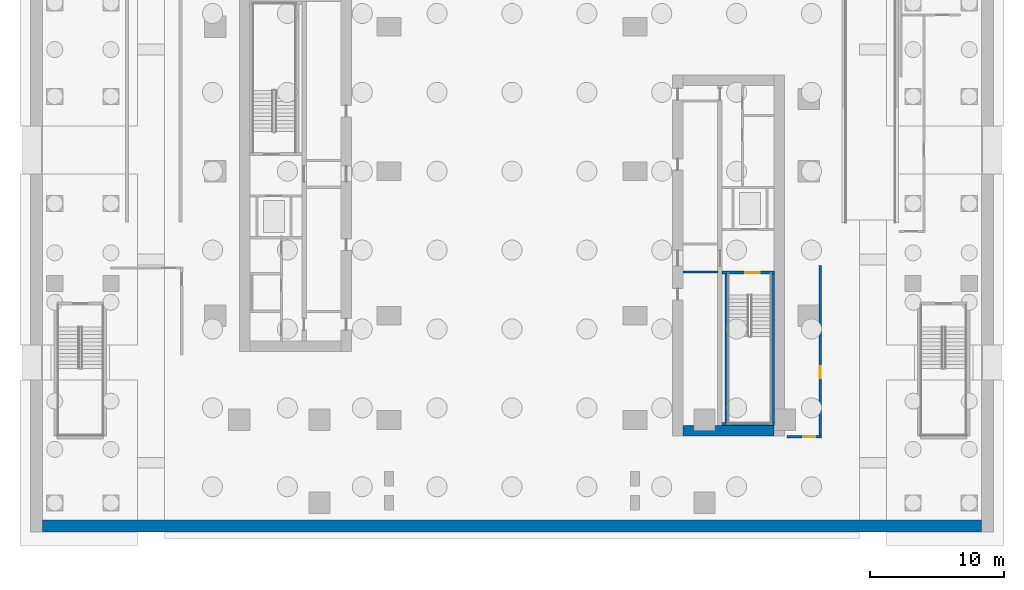
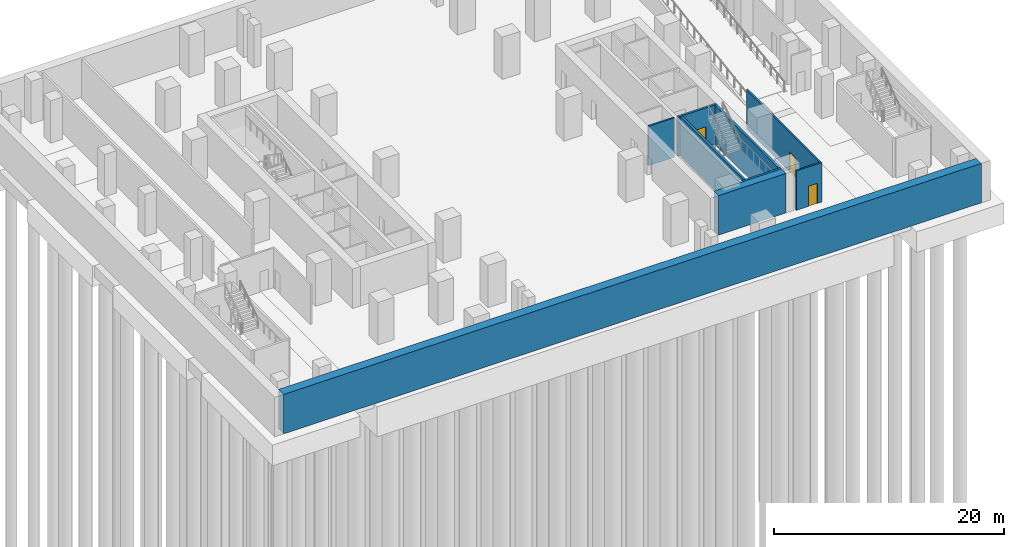
# One storey, part 4 of 15: 9 walls, 3 doors, 3 openings.
"""IFC4 building model written with IfcOpenShell, lengths in metres."""

from ifc_helpers import new_model, si_unit, direction, frame, frame_2d, origin, place, context, subcontext, project, spatial, rectangle, extrude, material, layer, layer_set, type_object, element, fill, save


model = new_model("IFC4")

# Units and contexts
model_context = context("Model", 3, precision=1e-05, world=origin(), true_north=direction((0.0, 1.0)))
body_context = subcontext(model_context, "Body", "Model", "MODEL_VIEW")
ifc_project = project(units=[si_unit("LENGTHUNIT", "METRE"), si_unit("AREAUNIT", "SQUARE_METRE"), si_unit("VOLUMEUNIT", "CUBIC_METRE"), si_unit("PLANEANGLEUNIT", "RADIAN"), si_unit("MASSUNIT", "GRAM", prefix="KILO")], contexts=[model_context])

# Site, building, storey
site_placement = place(None, origin())
site = spatial("IfcSite", under=ifc_project, at=site_placement, CompositionType="ELEMENT")
building_placement = place(site_placement, origin())
building = spatial("IfcBuilding", under=site, at=building_placement, Name="Khairoan Windgate Tower", CompositionType="ELEMENT")
storey_placement = place(building_placement, frame((0.0, 0.0, -9.0)))
storey = spatial("IfcBuildingStorey", under=building, at=storey_placement, Name="B2", CompositionType="ELEMENT", Elevation=-9.0)

# Wall
ifc_material_1 = material(Name="Concrete C40/50", Category="concrete")
ifc_layer_1 = layer(ifc_material_1, 0.159912109375, Name="Concrete C40/50")
ifc_layer_set_1 = layer_set([ifc_layer_1], Name="Concrete C40/50")
wall_type_1 = type_object("IfcWallType", Name="Core and Hoistway Enclosure Wall", PredefinedType="STANDARD", material=ifc_layer_set_1)
wall_1_placement = place(storey_placement, frame((12.800048828125, -7.5400390625, 0.0), z_axis=(0.0, 0.0, 1.0), x_axis=(1.0, 0.0, 0.0)))
element("IfcWall", 1, at=wall_1_placement, inside=storey, type_object=wall_type_1, Name="B2 Core Shaft Wall SW-EV2-B2", PredefinedType="STANDARD", context=body_context, shape_type="SweptSolid", body=[
    extrude(rectangle(XDim=2.599853515625, YDim=0.159912109375, at=frame_2d((1.2998046875, 0.0))), origin(), (0.0, 0.0, 1.0), 4.199951171875),
])

# Wall, opening, door
ifc_material_2 = material(Name="Concrete C40/50", Category="concrete")
ifc_layer_2 = layer(ifc_material_2, 0.159912109375, Name="Concrete C40/50")
ifc_layer_set_2 = layer_set([ifc_layer_2], Name="Concrete C40/50")
wall_type_2 = type_object("IfcWallType", Name="Plant and Refuge Compartment Wall", PredefinedType="PARTITIONING", material=ifc_layer_set_2)
wall_2_placement = place(storey_placement, frame((20.56005859375, -19.860107421875, 0.0), z_axis=(0.0, 0.0, 1.0), x_axis=(1.0, 0.0, 0.0)))
wall_2 = element("IfcWall", 2, at=wall_2_placement, inside=storey, type_object=wall_type_2, Name="B2 Interior Partition 011", PredefinedType="PARTITIONING", context=body_context, shape_type="SweptSolid", body=[
    extrude(rectangle(XDim=2.579833984375, YDim=0.159912109375, at=frame_2d((1.2900390625, 0.0))), origin(), (0.0, 0.0, 1.0), 4.199951171875),
])
opening_1_placement = place(wall_2_placement, frame((1.219970703125, 0.0, 0.0)))
opening_1 = element("IfcOpeningElement", 3, at=opening_1_placement, cuts=wall_2, Name="Opening FD-ENT", PredefinedType="OPENING", context=body_context, shape_type="SweptSolid", body=[
    extrude(rectangle(XDim=0.89990234375, YDim=2.14990234375, at=frame_2d((0.449951171875, 1.074951171875))), frame((0.0, 0.08984375, 0.0), z_axis=(0.0, -1.0, 0.0), x_axis=(1.0, 0.0, 0.0)), (0.0, 0.0, 1.0), 0.179931640625),
])
ifc_material_3 = material(Name="Timber Fire-Rated Core", Category="wood")
door_type_1 = type_object("IfcDoorType", Name="Unit and Office Fire Entrance Door FD-ENT 900x2150", OperationType="NOTDEFINED", PredefinedType="DOOR", material=ifc_material_3)
door_1_placement = place(opening_1_placement, origin())
door_1 = element("IfcDoor", 4, at=door_1_placement, inside=storey, type_object=door_type_1, Name="B2 B2-31-B2-48 Door", OperationType="SINGLE_SWING_RIGHT", OverallHeight=2.14990234375, OverallWidth=0.89990234375, PredefinedType="DOOR", context=body_context, shape_type="SweptSolid", body=[
    extrude(rectangle(XDim=0.89990234375, YDim=2.14990234375, at=frame_2d((0.449951171875, 1.074951171875))), frame((0.0, 0.02490234375, 0.0), z_axis=(0.0, -1.0, 0.0), x_axis=(1.0, 0.0, 0.0)), (0.0, 0.0, 1.0), 0.050048828125),
])
fill(opening_1, door_1)

wall_3_placement = place(storey_placement, frame((23.06005859375, -19.780029296875, 0.0), z_axis=(0.0, 0.0, 1.0), x_axis=(0.0, 1.0, 0.0)))
wall_3 = element("IfcWall", 5, at=wall_3_placement, inside=storey, type_object=wall_type_2, Name="B2 Interior Partition 013", PredefinedType="PARTITIONING", context=body_context, shape_type="SweptSolid", body=[
    extrude(rectangle(XDim=12.739990234375, YDim=0.159912109375, at=frame_2d((6.3701171875, 0.0))), origin(), (0.0, 0.0, 1.0), 4.199951171875),
])
opening_2_placement = place(wall_3_placement, frame((4.30224609375, 0.0, 0.0)))
opening_2 = element("IfcOpeningElement", 6, at=opening_2_placement, cuts=wall_3, Name="Opening FD-ENT", PredefinedType="OPENING", context=body_context, shape_type="SweptSolid", body=[
    extrude(rectangle(XDim=0.89990234375, YDim=2.14990234375, at=frame_2d((0.449951171875, 1.074951171875))), frame((0.0, 0.08984375, 0.0), z_axis=(0.0, -1.0, 0.0), x_axis=(1.0, 0.0, 0.0)), (0.0, 0.0, 1.0), 0.179931640625),
])
door_2_placement = place(opening_2_placement, origin())
door_2 = element("IfcDoor", 7, at=door_2_placement, inside=storey, type_object=door_type_1, Name="B2 B2-35-B2-48 Door", OperationType="SINGLE_SWING_RIGHT", OverallHeight=2.14990234375, OverallWidth=0.89990234375, PredefinedType="DOOR", context=body_context, shape_type="SweptSolid", body=[
    extrude(rectangle(XDim=0.89990234375, YDim=2.14990234375, at=frame_2d((0.449951171875, 1.074951171875))), frame((0.0, 0.02490234375, 0.0), z_axis=(0.0, -1.0, 0.0), x_axis=(1.0, 0.0, 0.0)), (0.0, 0.0, 1.0), 0.050048828125),
])
fill(opening_2, door_2)

# Walls
ifc_material_4 = material(Name="Concrete C70/85", Category="concrete")
ifc_layer_3 = layer(ifc_material_4, 0.800048828125, Name="Concrete C70/85")
ifc_layer_set_3 = layer_set([ifc_layer_3], Name="Concrete C70/85")
wall_type_3 = type_object("IfcWallType", Name="Shear Wall CW-E1 800mm", PredefinedType="SHEAR", material=ifc_layer_set_3)
wall_4_placement = place(storey_placement, frame((12.800048828125, -19.39990234375, 0.0), z_axis=(0.0, 0.0, 1.0), x_axis=(1.0, 0.0, 0.0)))
element("IfcWall", 8, at=wall_4_placement, inside=storey, type_object=wall_type_3, Name="E Core South Shear Wall B2", PredefinedType="SHEAR", context=body_context, shape_type="SweptSolid", body=[
    extrude(rectangle(XDim=6.800048828125, YDim=0.800048828125, at=frame_2d((3.39990234375, 0.0))), origin(), (0.0, 0.0, 1.0), 4.199951171875),
])
ifc_material_5 = material(Name="Concrete C50/60", Category="concrete")
ifc_layer_4 = layer(ifc_material_5, 0.89990234375, Name="Concrete C50/60")
ifc_layer_set_4 = layer_set([ifc_layer_4], Name="Concrete C50/60")
wall_type_4 = type_object("IfcWallType", Name="Shear Wall DW-B1 900mm", PredefinedType="SHEAR", material=ifc_layer_set_4)
wall_5_placement = place(storey_placement, frame((-35.10009765625, -26.550048828125, 0.0), z_axis=(0.0, 0.0, 1.0), x_axis=(1.0, 0.0, 0.0)))
element("IfcWall", 9, at=wall_5_placement, inside=storey, type_object=wall_type_4, Name="South Diaphragm Wall B2", PredefinedType="SHEAR", context=body_context, shape_type="SweptSolid", body=[
    extrude(rectangle(XDim=70.2001953125, YDim=0.89990234375, at=frame_2d((35.10009765625, 0.0))), origin(), (0.0, 0.0, 1.0), 4.199951171875),
])
ifc_material_6 = material(Name="Concrete C50/60", Category="concrete")
ifc_layer_5 = layer(ifc_material_6, 0.219970703125, Name="Concrete C50/60")
ifc_layer_set_5 = layer_set([ifc_layer_5], Name="Concrete C50/60")
wall_type_5 = type_object("IfcWallType", Name="Shear Wall SW-ST 220mm", PredefinedType="SHEAR", material=ifc_layer_set_5)
for number, where, z_axis, x_axis, name in (
    (10, (16.0400390625, -18.889892578125, 0.0), (0.0, 0.0, 1.0), (0.0, 1.0, 0.0), "B2 Stair ST1 West Bearing Wall"),
    (11, (19.530029296875, -18.889892578125, 0.0), (0.0, 0.0, 1.0), (0.0, 1.0, 0.0), "B2 Stair ST1 East Bearing Wall"),
):
    element("IfcWall", number, at=place(storey_placement, frame(where, z_axis=z_axis, x_axis=x_axis)), inside=storey, type_object=wall_type_5, Name=name, PredefinedType="SHEAR", context=body_context, shape_type="SweptSolid", body=[
        extrude(rectangle(XDim=11.2998046875, YDim=0.219970703125, at=frame_2d((5.64990234375, 0.0))), origin(), (0.0, 0.0, 1.0), 4.199951171875),
    ])
wall_6_placement = place(storey_placement, frame((15.705078125, -18.889892578125, 0.0), z_axis=(0.0, 0.0, 1.0), x_axis=(1.0, 0.0, 0.0)))
element("IfcWall", 12, at=wall_6_placement, inside=storey, type_object=wall_type_5, Name="B2 Stair ST1 South Bearing Wall", PredefinedType="SHEAR", context=body_context, shape_type="SweptSolid", body=[
    extrude(rectangle(XDim=3.9150390625, YDim=0.219970703125, at=frame_2d((1.95751953125, 0.0))), origin(), (0.0, 0.0, 1.0), 4.199951171875),
])

# Wall, opening, door
wall_7_placement = place(storey_placement, frame((19.6201171875, -7.590087890625, 0.0), z_axis=(0.0, 0.0, 1.0), x_axis=(-1.0, 0.0, 0.0)))
wall_7 = element("IfcWall", 13, at=wall_7_placement, inside=storey, type_object=wall_type_5, Name="B2 Stair ST1 North Bearing Wall", PredefinedType="SHEAR", context=body_context, shape_type="SweptSolid", body=[
    extrude(rectangle(XDim=3.9150390625, YDim=0.219970703125, at=frame_2d((1.95751953125, 0.0))), origin(), (0.0, 0.0, 1.0), 4.199951171875),
])
opening_3_placement = place(wall_7_placement, frame((1.080078125, 0.0, 0.0)))
opening_3 = element("IfcOpeningElement", 14, at=opening_3_placement, cuts=wall_7, Name="Opening FD-ST", PredefinedType="OPENING", context=body_context, shape_type="SweptSolid", body=[
    extrude(rectangle(XDim=1.10009765625, YDim=2.199951171875, at=frame_2d((0.550048828125, 1.10009765625))), frame((0.0, 0.119873046875, 0.0), z_axis=(0.0, -1.0, 0.0), x_axis=(1.0, 0.0, 0.0)), (0.0, 0.0, 1.0), 0.239990234375),
])
ifc_material_7 = material(Name="Steel S355", Category="steel")
door_type_2 = type_object("IfcDoorType", Name="Smokeproof Stair Fire Door FD-ST 1100x2200", OperationType="NOTDEFINED", PredefinedType="DOOR", material=ifc_material_7)
door_3_placement = place(opening_3_placement, origin())
door_3 = element("IfcDoor", 15, at=door_3_placement, inside=storey, type_object=door_type_2, Name="B2 Stair ST1 Fire Door", OperationType="SINGLE_SWING_LEFT", OverallHeight=2.199951171875, OverallWidth=1.10009765625, PredefinedType="DOOR", context=body_context, shape_type="SweptSolid", body=[
    extrude(rectangle(XDim=1.10009765625, YDim=2.199951171875, at=frame_2d((0.550048828125, 1.10009765625))), frame((0.0, 0.02490234375, 0.0), z_axis=(0.0, -1.0, 0.0), x_axis=(1.0, 0.0, 0.0)), (0.0, 0.0, 1.0), 0.050048828125),
])
fill(opening_3, door_3)

save(model, "model.ifc")
